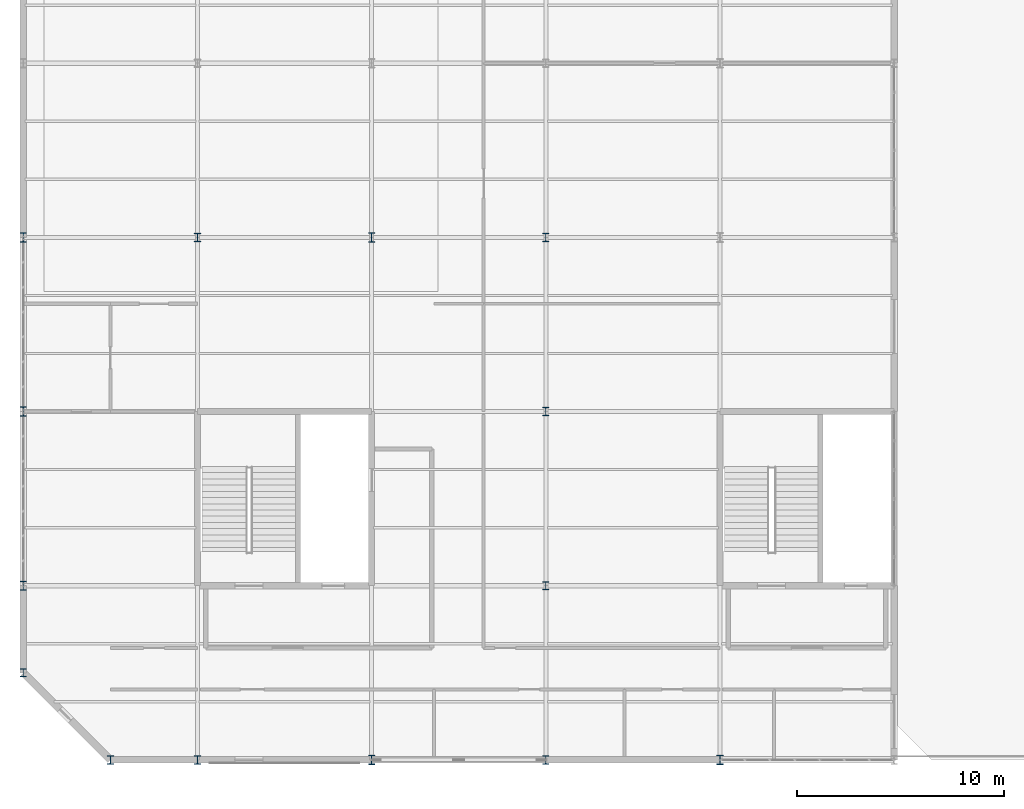
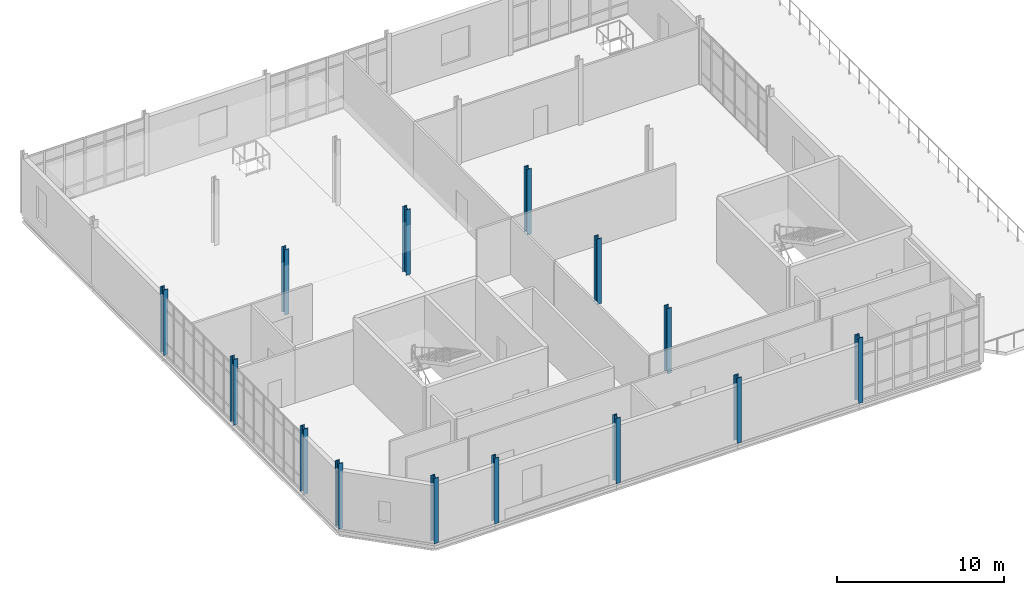
# One storey, part 1 of 28: 14 columns.
"""IFC4 building model written with IfcOpenShell, lengths in metres."""

from ifc_helpers import new_model, si_unit, direction, frame, origin, origin_2d, place, context, subcontext, project, spatial, i_section, extrude, material, material_profile, profile_set, type_object, element, save


model = new_model("IFC4")

# Units and contexts
model_context = context("Model", 3, precision=1e-05, world=origin(), true_north=direction((0.0, 1.0)))
body_context = subcontext(model_context, "Body", "Model", "MODEL_VIEW")
ifc_project = project(units=[si_unit("LENGTHUNIT", "METRE"), si_unit("AREAUNIT", "SQUARE_METRE"), si_unit("VOLUMEUNIT", "CUBIC_METRE"), si_unit("PLANEANGLEUNIT", "RADIAN"), si_unit("MASSUNIT", "GRAM", prefix="KILO")], contexts=[model_context])

# Site, building, storey
site_placement = place(None, origin())
site = spatial("IfcSite", under=ifc_project, at=site_placement, CompositionType="ELEMENT")
building_placement = place(site_placement, origin())
building = spatial("IfcBuilding", under=site, at=building_placement, Name="Qalvenar Corner Mobility Hub", CompositionType="ELEMENT")
storey_placement = place(building_placement, frame((0.0, 0.0, 21.60009765625)))
storey = spatial("IfcBuildingStorey", under=building, at=storey_placement, Name="L05", CompositionType="ELEMENT", Elevation=21.60009765625)

# Columns
ifc_material = material(Name="Steel S355", Category="steel")
ifc_material_profile_1 = material_profile(ifc_material, i_section(OverallWidth=0.300048828125, OverallDepth=0.39990234375, WebThickness=0.013427734375, FlangeThickness=0.02392578125, FilletRadius=0.027099609375, at=origin_2d()), Name="HEB400")
ifc_profile_set_1 = profile_set([ifc_material_profile_1], Name="Steel S355")
column_type_1 = type_object("IfcColumnType", Name="COL-HEB400", PredefinedType="COLUMN", material=ifc_profile_set_1)
for number, where, z_axis, x_axis, name in (
    (1, (8.39990234375, 0.0, 0.0), (0.0, 0.0, 1.0), (1.0, 0.0, 0.0), "Steel Column L05-G2-0"),
    (2, (8.39990234375, 25.199951171875, 0.0), (0.0, 0.0, 1.0), (1.0, 0.0, 0.0), "Steel Column L05-G2-3"),
    (3, (25.199951171875, 0.0, 0.0), (0.0, 0.0, 1.0), (1.0, 0.0, 0.0), "Steel Column L05-G4-0"),
    (4, (25.199951171875, 8.39990234375, 0.0), (0.0, 0.0, 1.0), (1.0, 0.0, 0.0), "Steel Column L05-G4-1"),
    (5, (25.199951171875, 16.800048828125, 0.0), (0.0, 0.0, 1.0), (1.0, 0.0, 0.0), "Steel Column L05-G4-2"),
    (6, (25.199951171875, 25.199951171875, 0.0), (0.0, 0.0, 1.0), (1.0, 0.0, 0.0), "Steel Column L05-G4-3"),
    (7, (4.199951171875, 0.0, 0.0), (0.0, 0.0, 1.0), (1.0, 0.0, 0.0), "Steel Column L05-SPL-S"),
    (8, (0.0, 4.199951171875, 0.0), (0.0, 0.0, 1.0), (1.0, 0.0, 0.0), "Steel Column L05-SPL-W"),
):
    element("IfcColumn", number, at=place(storey_placement, frame(where, z_axis=z_axis, x_axis=x_axis)), inside=storey, type_object=column_type_1, Name=name, PredefinedType="COLUMN", context=body_context, shape_type="SweptSolid", body=[
        extrude(i_section(OverallWidth=0.300048828125, OverallDepth=0.39990234375, WebThickness=0.013427734375, FlangeThickness=0.02392578125, FilletRadius=0.027099609375, at=origin_2d()), origin(), (0.0, 0.0, 1.0), 4.7998046875),
    ])
ifc_material_profile_2 = material_profile(ifc_material, i_section(OverallWidth=0.300048828125, OverallDepth=0.449951171875, WebThickness=0.013916015625, FlangeThickness=0.02587890625, FilletRadius=0.027099609375, at=origin_2d()), Name="HEB450")
ifc_profile_set_2 = profile_set([ifc_material_profile_2], Name="Steel S355")
column_type_2 = type_object("IfcColumnType", Name="COL-HEB450", PredefinedType="COLUMN", material=ifc_profile_set_2)
for number, where, z_axis, x_axis, name in (
    (9, (0.0, 8.39990234375, 0.0), (0.0, 0.0, 1.0), (1.0, 0.0, 0.0), "Steel Column L05-G1-1"),
    (10, (0.0, 16.800048828125, 0.0), (0.0, 0.0, 1.0), (1.0, 0.0, 0.0), "Steel Column L05-G1-2"),
    (11, (0.0, 25.199951171875, 0.0), (0.0, 0.0, 1.0), (1.0, 0.0, 0.0), "Steel Column L05-G1-3"),
    (12, (16.800048828125, 0.0, 0.0), (0.0, 0.0, 1.0), (1.0, 0.0, 0.0), "Steel Column L05-G3-0"),
    (13, (16.800048828125, 25.199951171875, 0.0), (0.0, 0.0, 1.0), (1.0, 0.0, 0.0), "Steel Column L05-G3-3"),
    (14, (33.60009765625, 0.0, 0.0), (0.0, 0.0, 1.0), (1.0, 0.0, 0.0), "Steel Column L05-G5-0"),
):
    element("IfcColumn", number, at=place(storey_placement, frame(where, z_axis=z_axis, x_axis=x_axis)), inside=storey, type_object=column_type_2, Name=name, PredefinedType="COLUMN", context=body_context, shape_type="SweptSolid", body=[
        extrude(i_section(OverallWidth=0.300048828125, OverallDepth=0.449951171875, WebThickness=0.013916015625, FlangeThickness=0.02587890625, FilletRadius=0.027099609375, at=origin_2d()), origin(), (0.0, 0.0, 1.0), 4.7998046875),
    ])

save(model, "model.ifc")
